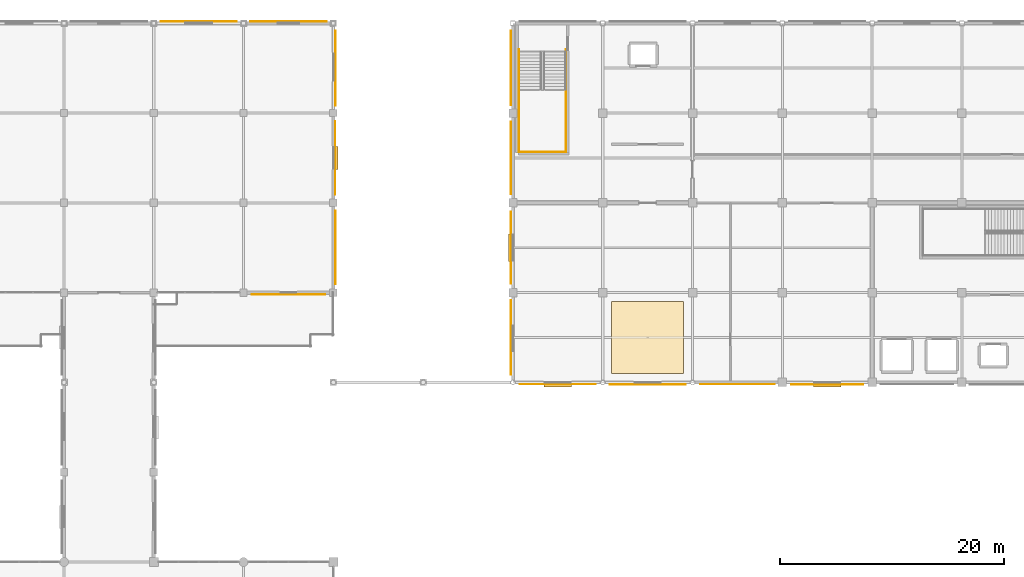
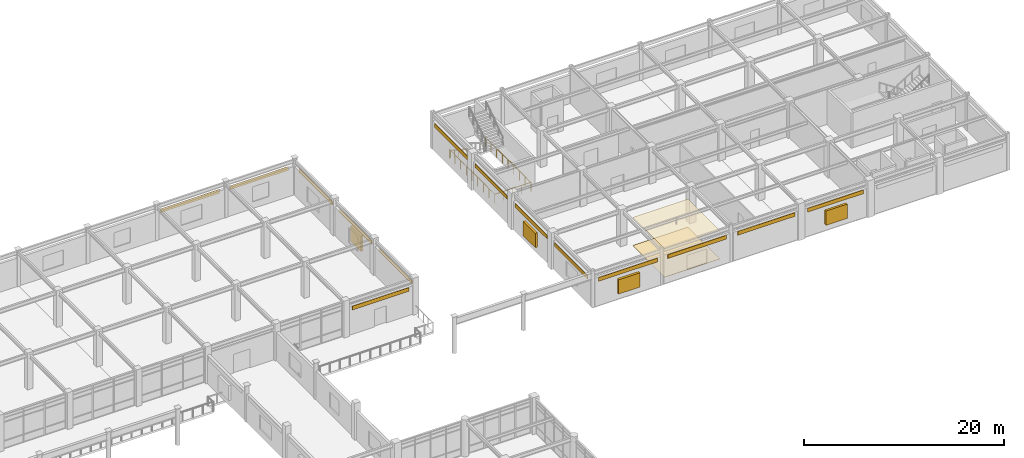
# One storey, part 75 of 78: 16 coverings, 4 railings, 4 shading devices.
"""IFC4 building model written with IfcOpenShell, lengths in metres."""

from ifc_helpers import new_model, si_unit, direction, frame, origin, origin_2d, place, context, subcontext, project, spatial, polyline, rectangle, circle, outline, extrude, material, layer, layer_set, type_object, element, save


model = new_model("IFC4")

# Units and contexts
model_context = context("Model", 3, precision=1e-05, world=origin(), true_north=direction((0.0, 1.0)))
body_context = subcontext(model_context, "Body", "Model", "MODEL_VIEW")
ifc_project = project(units=[si_unit("LENGTHUNIT", "METRE"), si_unit("AREAUNIT", "SQUARE_METRE"), si_unit("VOLUMEUNIT", "CUBIC_METRE"), si_unit("PLANEANGLEUNIT", "RADIAN"), si_unit("MASSUNIT", "GRAM", prefix="KILO")], contexts=[model_context])

# Site, building, storey
site_placement = place(None, origin())
site = spatial("IfcSite", under=ifc_project, at=site_placement, CompositionType="ELEMENT")
building_placement = place(site_placement, origin())
building = spatial("IfcBuilding", under=site, at=building_placement, Name="Solmirada Galleria", CompositionType="ELEMENT")
storey_placement = place(building_placement, frame((0.0, 0.0, 23.89990234375)))
storey = spatial("IfcBuildingStorey", under=building, at=storey_placement, Name="L05", CompositionType="ELEMENT", Elevation=23.89990234375)

# Coverings
ifc_material_1 = material(Name="Perforated acoustic mineral-fibre ceiling")
ifc_layer_1 = layer(ifc_material_1, 0.02490234375)
ifc_layer_set_1 = layer_set([ifc_layer_1], Name="Perforated acoustic mineral-fibre ceiling")
covering_type_1 = type_object("IfcCoveringType", Name="COV-CEIL-ACOUST", PredefinedType="CEILING", material=ifc_layer_set_1)
covering_1_placement = place(storey_placement, frame((0.0, 0.0, 3.4501953125)))
element("IfcCovering", 1, at=covering_1_placement, inside=storey, type_object=covering_type_1, Name="Acoustic ceiling panel L05-3", PredefinedType="CEILING", context=body_context, shape_type="SweptSolid", body=[
    extrude(outline(polyline([(136.800048828125, 88.800048828125), (143.199951171875, 88.800048828125), (143.199951171875, 95.199951171875), (136.800048828125, 95.199951171875), (136.800048828125, 88.800048828125)])), origin(), (0.0, 0.0, 1.0), 0.02490234375),
])
ifc_material_2 = material(Name="Limestone cladding panels", Category="masonry")
ifc_layer_2 = layer(ifc_material_2, 0.044921875)
ifc_layer_set_2 = layer_set([ifc_layer_2], Name="Limestone cladding panels")
covering_type_2 = type_object("IfcCoveringType", Name="COV-CLAD-LIME", PredefinedType="CLADDING", material=ifc_layer_set_2)
covering_2_placement = place(storey_placement, frame((100.0, 120.16748046875, 2.990234375), z_axis=(0.0, 0.0, 1.0), x_axis=(1.0, 0.0, 0.0)))
element("IfcCovering", 2, at=covering_2_placement, inside=storey, type_object=covering_type_2, Name="Postmodern facade cladding L05-326", PredefinedType="CLADDING", context=body_context, shape_type="SweptSolid", body=[
    extrude(rectangle(XDim=6.7939453125, YDim=0.044921875, at=origin_2d()), origin(), (0.0, 0.0, 1.0), 0.4599609375),
])
covering_3_placement = place(storey_placement, frame((112.16748046875, 116.0, 2.990234375), z_axis=(0.0, 0.0, 1.0), x_axis=(0.0, -1.0, 0.0)))
element("IfcCovering", 3, at=covering_3_placement, inside=storey, type_object=covering_type_2, Name="Postmodern facade cladding L05-328", PredefinedType="CLADDING", context=body_context, shape_type="SweptSolid", body=[
    extrude(rectangle(XDim=6.672119140625, YDim=0.044921875, at=origin_2d()), origin(), (0.0, 0.0, 1.0), 0.4599609375),
])
covering_4_placement = place(storey_placement, frame((112.16748046875, 100.0, 2.990234375), z_axis=(0.0, 0.0, 1.0), x_axis=(0.0, -1.0, 0.0)))
element("IfcCovering", 4, at=covering_4_placement, inside=storey, type_object=covering_type_2, Name="Postmodern facade cladding L05-330", PredefinedType="CLADDING", context=body_context, shape_type="SweptSolid", body=[
    extrude(rectangle(XDim=6.550048828125, YDim=0.044921875, at=origin_2d()), origin(), (0.0, 0.0, 1.0), 0.4599609375),
])
covering_5_placement = place(storey_placement, frame((156.0, 87.83251953125, 2.990234375), z_axis=(0.0, 0.0, 1.0), x_axis=(-1.0, 0.0, 0.0)))
element("IfcCovering", 5, at=covering_5_placement, inside=storey, type_object=covering_type_2, Name="Postmodern facade cladding L05-362", PredefinedType="CLADDING", context=body_context, shape_type="SweptSolid", body=[
    extrude(rectangle(XDim=6.449951171875, YDim=0.044921875, at=origin_2d()), origin(), (0.0, 0.0, 1.0), 0.4599609375),
])
covering_6_placement = place(storey_placement, frame((140.0, 87.83251953125, 2.990234375), z_axis=(0.0, 0.0, 1.0), x_axis=(-1.0, 0.0, 0.0)))
element("IfcCovering", 6, at=covering_6_placement, inside=storey, type_object=covering_type_2, Name="Postmodern facade cladding L05-364", PredefinedType="CLADDING", context=body_context, shape_type="SweptSolid", body=[
    extrude(rectangle(XDim=6.7939453125, YDim=0.044921875, at=origin_2d()), origin(), (0.0, 0.0, 1.0), 0.4599609375),
])
covering_7_placement = place(storey_placement, frame((127.83251953125, 92.0, 2.990234375), z_axis=(0.0, 0.0, 1.0), x_axis=(0.0, 1.0, 0.0)))
element("IfcCovering", 7, at=covering_7_placement, inside=storey, type_object=covering_type_2, Name="Postmodern facade cladding L05-366", PredefinedType="CLADDING", context=body_context, shape_type="SweptSolid", body=[
    extrude(rectangle(XDim=6.6220703125, YDim=0.044921875, at=origin_2d()), origin(), (0.0, 0.0, 1.0), 0.4599609375),
])
covering_8_placement = place(storey_placement, frame((127.83251953125, 108.0, 2.990234375), z_axis=(0.0, 0.0, 1.0), x_axis=(0.0, 1.0, 0.0)))
element("IfcCovering", 8, at=covering_8_placement, inside=storey, type_object=covering_type_2, Name="Postmodern facade cladding L05-368", PredefinedType="CLADDING", context=body_context, shape_type="SweptSolid", body=[
    extrude(rectangle(XDim=6.449951171875, YDim=0.044921875, at=origin_2d()), origin(), (0.0, 0.0, 1.0), 0.4599609375),
])
ifc_material_3 = material(Name="Glazed terracotta facade panels", Category="masonry")
ifc_layer_3 = layer(ifc_material_3, 0.0400390625)
ifc_layer_set_3 = layer_set([ifc_layer_3], Name="Glazed terracotta facade panels")
covering_type_3 = type_object("IfcCoveringType", Name="COV-CLAD-TERRA", PredefinedType="CLADDING", material=ifc_layer_set_3)
covering_9_placement = place(storey_placement, frame((108.0, 120.1650390625, 2.990234375), z_axis=(0.0, 0.0, 1.0), x_axis=(1.0, 0.0, 0.0)))
element("IfcCovering", 9, at=covering_9_placement, inside=storey, type_object=covering_type_3, Name="Postmodern facade cladding L05-327", PredefinedType="CLADDING", context=body_context, shape_type="SweptSolid", body=[
    extrude(rectangle(XDim=6.7939453125, YDim=0.0400390625, at=origin_2d()), origin(), (0.0, 0.0, 1.0), 0.4599609375),
])
for number, where, z_axis, x_axis, name in (
    (10, (112.1650390625, 108.0, 2.990234375), (0.0, 0.0, 1.0), (0.0, -1.0, 0.0), "Postmodern facade cladding L05-329"),
    (11, (108.0, 95.8349609375, 2.990234375), (0.0, 0.0, 1.0), (-1.0, 0.0, 0.0), "Postmodern facade cladding L05-331"),
):
    element("IfcCovering", number, at=place(storey_placement, frame(where, z_axis=z_axis, x_axis=x_axis)), inside=storey, type_object=covering_type_3, Name=name, PredefinedType="CLADDING", context=body_context, shape_type="SweptSolid", body=[
        extrude(rectangle(XDim=6.550048828125, YDim=0.0400390625, at=origin_2d()), origin(), (0.0, 0.0, 1.0), 0.4599609375),
    ])
covering_10_placement = place(storey_placement, frame((148.0, 87.8349609375, 2.990234375), z_axis=(0.0, 0.0, 1.0), x_axis=(-1.0, 0.0, 0.0)))
element("IfcCovering", 12, at=covering_10_placement, inside=storey, type_object=covering_type_3, Name="Postmodern facade cladding L05-363", PredefinedType="CLADDING", context=body_context, shape_type="SweptSolid", body=[
    extrude(rectangle(XDim=6.6220703125, YDim=0.0400390625, at=origin_2d()), origin(), (0.0, 0.0, 1.0), 0.4599609375),
])
covering_11_placement = place(storey_placement, frame((132.0, 87.8349609375, 2.990234375), z_axis=(0.0, 0.0, 1.0), x_axis=(-1.0, 0.0, 0.0)))
element("IfcCovering", 13, at=covering_11_placement, inside=storey, type_object=covering_type_3, Name="Postmodern facade cladding L05-365", PredefinedType="CLADDING", context=body_context, shape_type="SweptSolid", body=[
    extrude(rectangle(XDim=6.7939453125, YDim=0.0400390625, at=origin_2d()), origin(), (0.0, 0.0, 1.0), 0.4599609375),
])
covering_12_placement = place(storey_placement, frame((127.8349609375, 100.0, 2.990234375), z_axis=(0.0, 0.0, 1.0), x_axis=(0.0, 1.0, 0.0)))
element("IfcCovering", 14, at=covering_12_placement, inside=storey, type_object=covering_type_3, Name="Postmodern facade cladding L05-367", PredefinedType="CLADDING", context=body_context, shape_type="SweptSolid", body=[
    extrude(rectangle(XDim=6.449951171875, YDim=0.0400390625, at=origin_2d()), origin(), (0.0, 0.0, 1.0), 0.4599609375),
])
covering_13_placement = place(storey_placement, frame((127.8349609375, 116.0, 2.990234375), z_axis=(0.0, 0.0, 1.0), x_axis=(0.0, 1.0, 0.0)))
element("IfcCovering", 15, at=covering_13_placement, inside=storey, type_object=covering_type_3, Name="Postmodern facade cladding L05-369", PredefinedType="CLADDING", context=body_context, shape_type="SweptSolid", body=[
    extrude(rectangle(XDim=6.6220703125, YDim=0.0400390625, at=origin_2d()), origin(), (0.0, 0.0, 1.0), 0.4599609375),
])
ifc_material_4 = material(Name="Polished terrazzo and porcelain tile flooring")
ifc_layer_4 = layer(ifc_material_4, 0.030029296875)
ifc_layer_set_4 = layer_set([ifc_layer_4], Name="Polished terrazzo and porcelain tile flooring")
covering_type_4 = type_object("IfcCoveringType", Name="COV-FLOOR-TERRAZ", PredefinedType="FLOORING", material=ifc_layer_set_4)
covering_14_placement = place(storey_placement, origin())
element("IfcCovering", 16, at=covering_14_placement, inside=storey, type_object=covering_type_4, Name="Terrazzo floor finish L05-3", PredefinedType="FLOORING", context=body_context, shape_type="SweptSolid", body=[
    extrude(outline(polyline([(136.800048828125, 88.800048828125), (143.199951171875, 88.800048828125), (143.199951171875, 95.199951171875), (136.800048828125, 95.199951171875), (136.800048828125, 88.800048828125)])), origin(), (0.0, 0.0, 1.0), 0.030029296875),
])

# Railings
ifc_material_5 = material(Name="Painted steel tubular railing", Category="steel")
railing_type_1 = type_object("IfcRailingType", Name="RAIL-STAIR-GUARD", PredefinedType="GUARDRAIL", material=ifc_material_5)
railing_1_placement = place(storey_placement, frame((132.7099609375, 117.64990234375, 0.0)))
element("IfcRailing", 17, at=railing_1_placement, inside=storey, type_object=railing_type_1, Name="Stair ST3 well edge guard L05-1", PredefinedType="GUARDRAIL", context=body_context, shape_type="SweptSolid", body=[
    extrude(circle(Radius=0.02392578125, at=origin_2d()), frame((0.0, 0.0, 1.09619140625), z_axis=(0.0, -1.0, 0.0), x_axis=(1.0, 0.0, 0.0)), (0.0, 0.0, 1.0), 9.10986328125),
    extrude(circle(Radius=0.02099609375, at=origin_2d()), origin(), (0.0, 0.0, 1.0), 1.068115234375),
    extrude(circle(Radius=0.02099609375, at=origin_2d()), frame((0.0, -1.138671875, 0.0)), (0.0, 0.0, 1.0), 1.068115234375),
    extrude(circle(Radius=0.02099609375, at=origin_2d()), frame((0.0, -2.27734375, 0.0)), (0.0, 0.0, 1.0), 1.068115234375),
    extrude(circle(Radius=0.02099609375, at=origin_2d()), frame((0.0, -3.416259765625, 0.0)), (0.0, 0.0, 1.0), 1.068115234375),
    extrude(circle(Radius=0.02099609375, at=origin_2d()), frame((0.0, -4.554931640625, 0.0)), (0.0, 0.0, 1.0), 1.068115234375),
    extrude(circle(Radius=0.02099609375, at=origin_2d()), frame((0.0, -5.693603515625, 0.0)), (0.0, 0.0, 1.0), 1.068115234375),
    extrude(circle(Radius=0.02099609375, at=origin_2d()), frame((0.0, -6.83251953125, 0.0)), (0.0, 0.0, 1.0), 1.068115234375),
    extrude(circle(Radius=0.02099609375, at=origin_2d()), frame((0.0, -7.97119140625, 0.0)), (0.0, 0.0, 1.0), 1.068115234375),
    extrude(circle(Radius=0.02099609375, at=origin_2d()), frame((0.0, -9.10986328125, 0.0)), (0.0, 0.0, 1.0), 1.068115234375),
])
railing_2_placement = place(storey_placement, frame((132.7099609375, 108.5400390625, 0.0)))
element("IfcRailing", 18, at=railing_2_placement, inside=storey, type_object=railing_type_1, Name="Stair ST3 well edge guard L05-2", PredefinedType="GUARDRAIL", context=body_context, shape_type="SweptSolid", body=[
    extrude(circle(Radius=0.02392578125, at=origin_2d()), frame((0.0, 0.0, 1.09619140625), z_axis=(-1.0, 0.0, 0.0), x_axis=(0.0, -1.0, 0.0)), (0.0, 0.0, 1.0), 4.169921875),
    extrude(circle(Radius=0.02099609375, at=origin_2d()), origin(), (0.0, 0.0, 1.0), 1.068115234375),
    extrude(circle(Radius=0.02099609375, at=origin_2d()), frame((-1.04248046875, 0.0, 0.0)), (0.0, 0.0, 1.0), 1.068115234375),
    extrude(circle(Radius=0.02099609375, at=origin_2d()), frame((-2.0849609375, 0.0, 0.0)), (0.0, 0.0, 1.0), 1.068115234375),
    extrude(circle(Radius=0.02099609375, at=origin_2d()), frame((-3.12744140625, 0.0, 0.0)), (0.0, 0.0, 1.0), 1.068115234375),
    extrude(circle(Radius=0.02099609375, at=origin_2d()), frame((-4.169921875, 0.0, 0.0)), (0.0, 0.0, 1.0), 1.068115234375),
])
railing_3_placement = place(storey_placement, frame((128.5400390625, 108.5400390625, 0.0)))
element("IfcRailing", 19, at=railing_3_placement, inside=storey, type_object=railing_type_1, Name="Stair ST3 well edge guard L05-3", PredefinedType="GUARDRAIL", context=body_context, shape_type="SweptSolid", body=[
    extrude(circle(Radius=0.02392578125, at=origin_2d()), frame((0.0, 0.0, 1.09619140625), z_axis=(0.0, 1.0, 0.0), x_axis=(-1.0, 0.0, 0.0)), (0.0, 0.0, 1.0), 9.10986328125),
    extrude(circle(Radius=0.02099609375, at=origin_2d()), origin(), (0.0, 0.0, 1.0), 1.068115234375),
    extrude(circle(Radius=0.02099609375, at=origin_2d()), frame((0.0, 1.138671875, 0.0)), (0.0, 0.0, 1.0), 1.068115234375),
    extrude(circle(Radius=0.02099609375, at=origin_2d()), frame((0.0, 2.27734375, 0.0)), (0.0, 0.0, 1.0), 1.068115234375),
    extrude(circle(Radius=0.02099609375, at=origin_2d()), frame((0.0, 3.416259765625, 0.0)), (0.0, 0.0, 1.0), 1.068115234375),
    extrude(circle(Radius=0.02099609375, at=origin_2d()), frame((0.0, 4.554931640625, 0.0)), (0.0, 0.0, 1.0), 1.068115234375),
    extrude(circle(Radius=0.02099609375, at=origin_2d()), frame((0.0, 5.693603515625, 0.0)), (0.0, 0.0, 1.0), 1.068115234375),
    extrude(circle(Radius=0.02099609375, at=origin_2d()), frame((0.0, 6.83251953125, 0.0)), (0.0, 0.0, 1.0), 1.068115234375),
    extrude(circle(Radius=0.02099609375, at=origin_2d()), frame((0.0, 7.97119140625, 0.0)), (0.0, 0.0, 1.0), 1.068115234375),
    extrude(circle(Radius=0.02099609375, at=origin_2d()), frame((0.0, 9.10986328125, 0.0)), (0.0, 0.0, 1.0), 1.068115234375),
])
railing_type_2 = type_object("IfcRailingType", Name="RAIL-STAIR-HAND", PredefinedType="HANDRAIL", material=ifc_material_5)
railing_4_placement = place(storey_placement, frame((128.550048828125, 117.449951171875, 0.173095703125)))
element("IfcRailing", 20, at=railing_4_placement, inside=storey, type_object=railing_type_2, Name="L05 ST3 stair handrail 1", PredefinedType="HANDRAIL", context=body_context, shape_type="SweptSolid", body=[
    extrude(circle(Radius=0.02392578125, at=origin_2d()), frame((0.0, 0.0, 0.8759765625), z_axis=(0.0, -0.830896709279, 0.556426687452), x_axis=(1.0, 0.0, 0.0)), (0.0, 0.0, 1.0), 4.043701171875),
    extrude(circle(Radius=0.02099609375, at=origin_2d()), origin(), (0.0, 0.0, 1.0), 0.847900390625),
    extrude(circle(Radius=0.02099609375, at=origin_2d()), frame((0.0, -0.83984375, 0.5625)), (0.0, 0.0, 1.0), 0.847900390625),
    extrude(circle(Radius=0.02099609375, at=origin_2d()), frame((0.0, -1.679931640625, 1.125)), (0.0, 0.0, 1.0), 0.847900390625),
    extrude(circle(Radius=0.02099609375, at=origin_2d()), frame((0.0, -2.52001953125, 1.6875)), (0.0, 0.0, 1.0), 0.847900390625),
    extrude(circle(Radius=0.02099609375, at=origin_2d()), frame((0.0, -3.35986328125, 2.25)), (0.0, 0.0, 1.0), 0.847900390625),
])

# Shading devices
ifc_material_6 = material(Name="Extruded aluminium storm louvres", Category="aluminium")
shading_device_type = type_object("IfcShadingDeviceType", Name="SHD-JALOUSIE", PredefinedType="JALOUSIE", material=ifc_material_6)
shading_device_placement = place(storey_placement, frame((112.27490234375, 108.0, 0.800048828125), z_axis=(0.0, 0.0, 1.0), x_axis=(0.0, -1.0, 0.0)))
element("IfcShadingDevice", 21, at=shading_device_placement, inside=storey, type_object=shading_device_type, Name="Hurricane storm jalousie louvre 094", PredefinedType="JALOUSIE", context=body_context, shape_type="SweptSolid", body=[
    extrude(rectangle(XDim=2.06005859375, YDim=0.260009765625, at=origin_2d()), origin(), (0.0, 0.0, 1.0), 1.85009765625),
])
for number, where, z_axis, x_axis, name in (
    (22, (156.0, 87.72509765625, 0.800048828125), (0.0, 0.0, 1.0), (-1.0, 0.0, 0.0), "Hurricane storm jalousie louvre 102"),
    (23, (132.0, 87.72509765625, 0.800048828125), (0.0, 0.0, 1.0), (-1.0, 0.0, 0.0), "Hurricane storm jalousie louvre 103"),
    (24, (127.72509765625, 100.0, 0.800048828125), (0.0, 0.0, 1.0), (0.0, 1.0, 0.0), "Hurricane storm jalousie louvre 104"),
):
    element("IfcShadingDevice", number, at=place(storey_placement, frame(where, z_axis=z_axis, x_axis=x_axis)), inside=storey, type_object=shading_device_type, Name=name, PredefinedType="JALOUSIE", context=body_context, shape_type="SweptSolid", body=[
        extrude(rectangle(XDim=2.4599609375, YDim=0.260009765625, at=origin_2d()), origin(), (0.0, 0.0, 1.0), 1.75),
    ])

save(model, "model.ifc")
